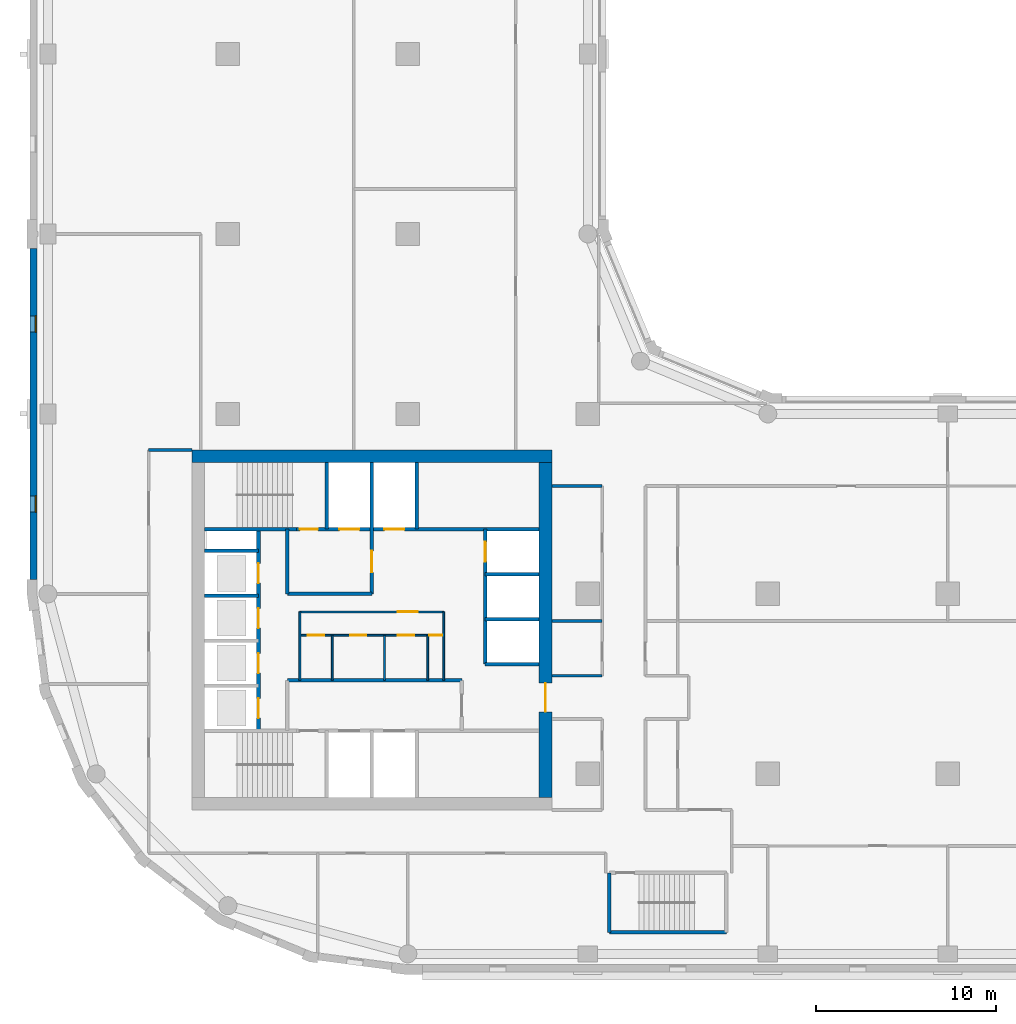
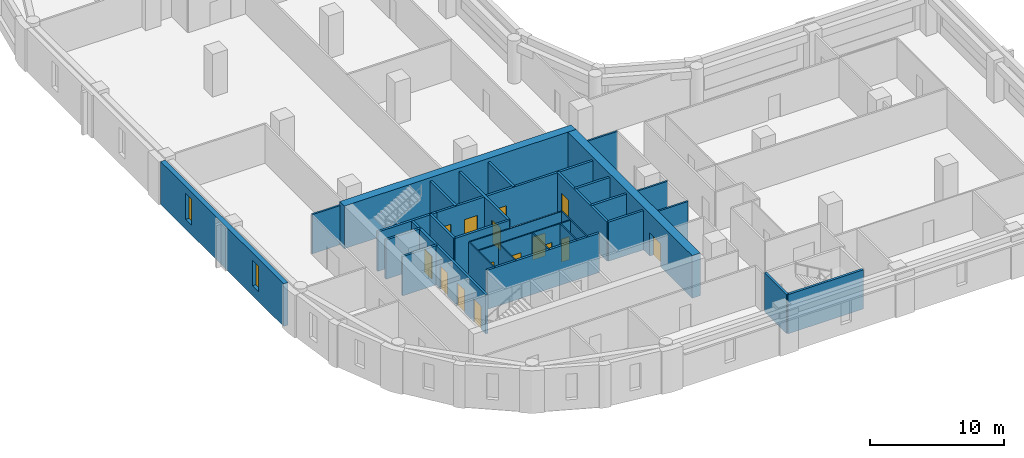
# One storey, part 3 of 9: 31 walls, 15 doors, 2 windows, 17 openings.
"""IFC4 building model written with IfcOpenShell, lengths in metres."""

from ifc_helpers import new_model, si_unit, direction, frame, frame_2d, origin, place, context, subcontext, project, spatial, rectangle, extrude, material, layer, layer_set, type_object, element, fill, save


model = new_model("IFC4")

# Units and contexts
model_context = context("Model", 3, precision=1e-05, world=origin(), true_north=direction((0.0, 1.0)))
body_context = subcontext(model_context, "Body", "Model", "MODEL_VIEW")
ifc_project = project(units=[si_unit("LENGTHUNIT", "METRE"), si_unit("AREAUNIT", "SQUARE_METRE"), si_unit("VOLUMEUNIT", "CUBIC_METRE"), si_unit("PLANEANGLEUNIT", "RADIAN"), si_unit("MASSUNIT", "GRAM", prefix="KILO")], contexts=[model_context])

# Site, building, storey
site_placement = place(None, origin())
site = spatial("IfcSite", under=ifc_project, at=site_placement, CompositionType="ELEMENT")
building_placement = place(site_placement, origin())
building = spatial("IfcBuilding", under=site, at=building_placement, Name="Qaws Garden Tower", CompositionType="ELEMENT")
storey_placement = place(building_placement, frame((0.0, 0.0, 166.800048828125)))
storey = spatial("IfcBuildingStorey", under=building, at=storey_placement, Name="L40", CompositionType="ELEMENT", Elevation=166.800048828125)

# Wall, openings, windows
ifc_material_1 = material(Name="Buff clay facing brick masonry", Category="masonry")
ifc_layer_1 = layer(ifc_material_1, 0.39990234375)
ifc_layer_set_1 = layer_set([ifc_layer_1], Name="Buff clay facing brick masonry")
wall_type_1 = type_object("IfcWallType", Name="Buff brick infill wall 400", PredefinedType="SOLIDWALL", material=ifc_layer_set_1)
wall_1_placement = place(storey_placement, frame((-0.800048828125, 39.199951171875, 0.0), z_axis=(0.0, 0.0, 1.0), x_axis=(0.0, -1.0, 0.0)))
wall_1 = element("IfcWall", 1, at=wall_1_placement, inside=storey, type_object=wall_type_1, Name="E-L40-infill-23", PredefinedType="SOLIDWALL", context=body_context, shape_type="SweptSolid", body=[
    extrude(rectangle(XDim=18.39990234375, YDim=0.39990234375, at=frame_2d((9.199951171875, 0.0))), origin(), (0.0, 0.0, 1.0), 3.89990234375),
])
opening_1_placement = place(wall_1_placement, frame((3.75, 0.0, 0.89990234375)))
opening_1 = element("IfcOpeningElement", 2, at=opening_1_placement, cuts=wall_1, Name="Opening W09", PredefinedType="OPENING", context=body_context, shape_type="SweptSolid", body=[
    extrude(rectangle(XDim=0.89990234375, YDim=2.35009765625, at=frame_2d((0.449951171875, 1.175048828125))), frame((0.0, 0.2099609375, 0.0), z_axis=(0.0, -1.0, 0.0), x_axis=(1.0, 0.0, 0.0)), (0.0, 0.0, 1.0), 0.419921875),
])
opening_2_placement = place(wall_1_placement, frame((13.75, 0.0, 0.89990234375)))
opening_2 = element("IfcOpeningElement", 3, at=opening_2_placement, cuts=wall_1, Name="Opening W09", PredefinedType="OPENING", context=body_context, shape_type="SweptSolid", body=[
    extrude(rectangle(XDim=0.89990234375, YDim=2.35009765625, at=frame_2d((0.449951171875, 1.175048828125))), frame((0.0, 0.2099609375, 0.0), z_axis=(0.0, -1.0, 0.0), x_axis=(1.0, 0.0, 0.0)), (0.0, 0.0, 1.0), 0.419921875),
])
ifc_material_2 = material(Name="Aluminium framed window, clear glazing", Category="aluminium")
window_type = type_object("IfcWindowType", Name="Slit window 900 x 2350", PartitioningType="SINGLE_PANEL", PredefinedType="WINDOW", material=ifc_material_2)
window_1_placement = place(opening_1_placement, origin())
window_1 = element("IfcWindow", 4, at=window_1_placement, inside=storey, type_object=window_type, Name="E-L40-window-23-0", OverallHeight=2.35009765625, OverallWidth=0.89990234375, PartitioningType="SINGLE_PANEL", PredefinedType="WINDOW", context=body_context, shape_type="SweptSolid", body=[
    extrude(rectangle(XDim=0.89990234375, YDim=2.35009765625, at=frame_2d((0.449951171875, 1.175048828125))), frame((0.0, 0.159912109375, 0.0), z_axis=(0.0, -1.0, 0.0), x_axis=(1.0, 0.0, 0.0)), (0.0, 0.0, 1.0), 0.06005859375),
])
fill(opening_1, window_1)
window_2_placement = place(opening_2_placement, origin())
window_2 = element("IfcWindow", 5, at=window_2_placement, inside=storey, type_object=window_type, Name="E-L40-window-24-0", OverallHeight=2.35009765625, OverallWidth=0.89990234375, PartitioningType="SINGLE_PANEL", PredefinedType="WINDOW", context=body_context, shape_type="SweptSolid", body=[
    extrude(rectangle(XDim=0.89990234375, YDim=2.35009765625, at=frame_2d((0.449951171875, 1.175048828125))), frame((0.0, 0.159912109375, 0.0), z_axis=(0.0, -1.0, 0.0), x_axis=(1.0, 0.0, 0.0)), (0.0, 0.0, 1.0), 0.06005859375),
])
fill(opening_2, window_2)

# Wall, openings, doors
ifc_material_3 = material(Name="Plasterboard")
ifc_layer_2 = layer(ifc_material_3, 0.10009765625)
ifc_layer_set_2 = layer_set([ifc_layer_2], Name="Plasterboard")
wall_type_2 = type_object("IfcWallType", Name="Core partition 100", PredefinedType="PARTITIONING", material=ifc_layer_set_2)
wall_2_placement = place(storey_placement, frame((14.0, 17.699951171875, 0.0), z_axis=(0.0, 0.0, 1.0), x_axis=(1.0, 0.0, 0.0)))
wall_2 = element("IfcWall", 6, at=wall_2_placement, inside=storey, type_object=wall_type_2, Name="Core partition", PredefinedType="PARTITIONING", context=body_context, shape_type="SweptSolid", body=[
    extrude(rectangle(XDim=8.0, YDim=0.10009765625, at=frame_2d((4.0, 0.0))), origin(), (0.0, 0.0, 1.0), 3.579833984375),
])
opening_3_placement = place(wall_2_placement, frame((0.449951171875, 0.0, 0.0)))
opening_3 = element("IfcOpeningElement", 7, at=opening_3_placement, cuts=wall_2, Name="Opening WD18", PredefinedType="OPENING", context=body_context, shape_type="SweptSolid", body=[
    extrude(rectangle(XDim=0.89990234375, YDim=2.10009765625, at=frame_2d((0.449951171875, 1.050048828125))), frame((0.0, 0.06005859375, 0.0), z_axis=(0.0, -1.0, 0.0), x_axis=(1.0, 0.0, 0.0)), (0.0, 0.0, 1.0), 0.1201171875),
])
opening_4_placement = place(wall_2_placement, frame((2.800048828125, 0.0, 0.0)))
opening_4 = element("IfcOpeningElement", 8, at=opening_4_placement, cuts=wall_2, Name="Opening WD19", PredefinedType="OPENING", context=body_context, shape_type="SweptSolid", body=[
    extrude(rectangle(XDim=0.89990234375, YDim=2.10009765625, at=frame_2d((0.449951171875, 1.050048828125))), frame((0.0, 0.06005859375, 0.0), z_axis=(0.0, -1.0, 0.0), x_axis=(1.0, 0.0, 0.0)), (0.0, 0.0, 1.0), 0.1201171875),
])
opening_5_placement = place(wall_2_placement, frame((5.449951171875, 0.0, 0.0)))
opening_5 = element("IfcOpeningElement", 9, at=opening_5_placement, cuts=wall_2, Name="Opening WD20", PredefinedType="OPENING", context=body_context, shape_type="SweptSolid", body=[
    extrude(rectangle(XDim=0.89990234375, YDim=2.10009765625, at=frame_2d((0.449951171875, 1.050048828125))), frame((0.0, 0.06005859375, 0.0), z_axis=(0.0, -1.0, 0.0), x_axis=(1.0, 0.0, 0.0)), (0.0, 0.0, 1.0), 0.1201171875),
])
opening_6_placement = place(wall_2_placement, frame((7.199951171875, 0.0, 0.0)))
opening_6 = element("IfcOpeningElement", 10, at=opening_6_placement, cuts=wall_2, Name="Opening XD21", PredefinedType="OPENING", context=body_context, shape_type="SweptSolid", body=[
    extrude(rectangle(XDim=0.699951171875, YDim=2.10009765625, at=frame_2d((0.35009765625, 1.050048828125))), frame((0.0, 0.06005859375, 0.0), z_axis=(0.0, -1.0, 0.0), x_axis=(1.0, 0.0, 0.0)), (0.0, 0.0, 1.0), 0.1201171875),
])
ifc_material_4 = material(Name="Timber", Category="wood")
door_type_1 = type_object("IfcDoorType", Name="Store door 700x2100", OperationType="SINGLE_SWING_LEFT", PredefinedType="DOOR", material=ifc_material_4)
door_1_placement = place(opening_6_placement, frame((0.699951171875, 0.0, 0.0), z_axis=(0.0, 0.0, 1.0), x_axis=(-1.0, 0.0, 0.0)))
door_1 = element("IfcDoor", 11, at=door_1_placement, inside=storey, type_object=door_type_1, Name="Cleaner's store door", OperationType="SINGLE_SWING_LEFT", OverallHeight=2.10009765625, OverallWidth=0.699951171875, PredefinedType="DOOR", context=body_context, shape_type="SweptSolid", body=[
    extrude(rectangle(XDim=0.699951171875, YDim=2.10009765625, at=frame_2d((0.35009765625, 1.050048828125))), frame((0.0, 0.02490234375, 0.0), z_axis=(0.0, -1.0, 0.0), x_axis=(1.0, 0.0, 0.0)), (0.0, 0.0, 1.0), 0.050048828125),
])
fill(opening_6, door_1)
ifc_material_5 = material(Name="Timber", Category="wood")
door_type_2 = type_object("IfcDoorType", Name="WC door 900x2100", OperationType="SINGLE_SWING_LEFT", PredefinedType="DOOR", material=ifc_material_5)
door_2_placement = place(opening_3_placement, frame((0.89990234375, 0.0, 0.0), z_axis=(0.0, 0.0, 1.0), x_axis=(-1.0, 0.0, 0.0)))
door_2 = element("IfcDoor", 12, at=door_2_placement, inside=storey, type_object=door_type_2, Name="Accessible WC door", OperationType="SINGLE_SWING_LEFT", OverallHeight=2.10009765625, OverallWidth=0.89990234375, PredefinedType="DOOR", context=body_context, shape_type="SweptSolid", body=[
    extrude(rectangle(XDim=0.89990234375, YDim=2.10009765625, at=frame_2d((0.449951171875, 1.050048828125))), frame((0.0, 0.02490234375, 0.0), z_axis=(0.0, -1.0, 0.0), x_axis=(1.0, 0.0, 0.0)), (0.0, 0.0, 1.0), 0.050048828125),
])
fill(opening_3, door_2)
door_3_placement = place(opening_4_placement, frame((0.89990234375, 0.0, 0.0), z_axis=(0.0, 0.0, 1.0), x_axis=(-1.0, 0.0, 0.0)))
door_3 = element("IfcDoor", 13, at=door_3_placement, inside=storey, type_object=door_type_2, Name="Women's WC door", OperationType="SINGLE_SWING_LEFT", OverallHeight=2.10009765625, OverallWidth=0.89990234375, PredefinedType="DOOR", context=body_context, shape_type="SweptSolid", body=[
    extrude(rectangle(XDim=0.89990234375, YDim=2.10009765625, at=frame_2d((0.449951171875, 1.050048828125))), frame((0.0, 0.02490234375, 0.0), z_axis=(0.0, -1.0, 0.0), x_axis=(1.0, 0.0, 0.0)), (0.0, 0.0, 1.0), 0.050048828125),
])
fill(opening_4, door_3)
door_4_placement = place(opening_5_placement, frame((0.89990234375, 0.0, 0.0), z_axis=(0.0, 0.0, 1.0), x_axis=(-1.0, 0.0, 0.0)))
door_4 = element("IfcDoor", 14, at=door_4_placement, inside=storey, type_object=door_type_2, Name="Men's WC door", OperationType="SINGLE_SWING_LEFT", OverallHeight=2.10009765625, OverallWidth=0.89990234375, PredefinedType="DOOR", context=body_context, shape_type="SweptSolid", body=[
    extrude(rectangle(XDim=0.89990234375, YDim=2.10009765625, at=frame_2d((0.449951171875, 1.050048828125))), frame((0.0, 0.02490234375, 0.0), z_axis=(0.0, -1.0, 0.0), x_axis=(1.0, 0.0, 0.0)), (0.0, 0.0, 1.0), 0.050048828125),
])
fill(opening_5, door_4)

# Wall, opening, door
wall_3_placement = place(storey_placement, frame((14.0, 19.0, 0.0), z_axis=(0.0, 0.0, 1.0), x_axis=(1.0, 0.0, 0.0)))
wall_3 = element("IfcWall", 15, at=wall_3_placement, inside=storey, type_object=wall_type_2, Name="Core partition", PredefinedType="PARTITIONING", context=body_context, shape_type="SweptSolid", body=[
    extrude(rectangle(XDim=8.0, YDim=0.10009765625, at=frame_2d((4.0, 0.0))), origin(), (0.0, 0.0, 1.0), 3.579833984375),
])
opening_7_placement = place(wall_3_placement, frame((5.449951171875, 0.0, 0.0)))
opening_7 = element("IfcOpeningElement", 16, at=opening_7_placement, cuts=wall_3, Name="Opening WL17", PredefinedType="OPENING", context=body_context, shape_type="SweptSolid", body=[
    extrude(rectangle(XDim=1.10009765625, YDim=2.10009765625, at=frame_2d((0.550048828125, 1.050048828125))), frame((0.0, 0.06005859375, 0.0), z_axis=(0.0, -1.0, 0.0), x_axis=(1.0, 0.0, 0.0)), (0.0, 0.0, 1.0), 0.1201171875),
])
ifc_material_6 = material(Name="Timber", Category="wood")
door_type_3 = type_object("IfcDoorType", Name="WC lobby door 1100x2100", OperationType="SINGLE_SWING_LEFT", PredefinedType="DOOR", material=ifc_material_6)
door_5_placement = place(opening_7_placement, frame((1.10009765625, 0.0, 0.0), z_axis=(0.0, 0.0, 1.0), x_axis=(-1.0, 0.0, 0.0)))
door_5 = element("IfcDoor", 17, at=door_5_placement, inside=storey, type_object=door_type_3, Name="WC lobby door", OperationType="SINGLE_SWING_LEFT", OverallHeight=2.10009765625, OverallWidth=1.10009765625, PredefinedType="DOOR", context=body_context, shape_type="SweptSolid", body=[
    extrude(rectangle(XDim=1.10009765625, YDim=2.10009765625, at=frame_2d((0.550048828125, 1.050048828125))), frame((0.0, 0.02490234375, 0.0), z_axis=(0.0, -1.0, 0.0), x_axis=(1.0, 0.0, 0.0)), (0.0, 0.0, 1.0), 0.050048828125),
])
fill(opening_7, door_5)

# Walls
wall_4_placement = place(storey_placement, frame((14.0, 15.199951171875, 0.0), z_axis=(0.0, 0.0, 1.0), x_axis=(0.0, 1.0, 0.0)))
element("IfcWall", 18, at=wall_4_placement, inside=storey, type_object=wall_type_2, Name="Core partition", PredefinedType="PARTITIONING", context=body_context, shape_type="SweptSolid", body=[
    extrude(rectangle(XDim=3.800048828125, YDim=0.10009765625, at=frame_2d((1.89990234375, 0.0))), origin(), (0.0, 0.0, 1.0), 3.579833984375),
])
for number, where, z_axis, x_axis, name in (
    (19, (15.800048828125, 15.199951171875, 0.0), (0.0, 0.0, 1.0), (0.0, 1.0, 0.0), "Core partition"),
    (20, (18.699951171875, 15.199951171875, 0.0), (0.0, 0.0, 1.0), (0.0, 1.0, 0.0), "Core partition"),
    (21, (21.10009765625, 15.199951171875, 0.0), (0.0, 0.0, 1.0), (0.0, 1.0, 0.0), "Core partition"),
):
    element("IfcWall", number, at=place(storey_placement, frame(where, z_axis=z_axis, x_axis=x_axis)), inside=storey, type_object=wall_type_2, Name=name, PredefinedType="PARTITIONING", context=body_context, shape_type="SweptSolid", body=[
        extrude(rectangle(XDim=2.5, YDim=0.10009765625, at=frame_2d((1.25, 0.0))), origin(), (0.0, 0.0, 1.0), 3.579833984375),
    ])
wall_5_placement = place(storey_placement, frame((22.0, 15.199951171875, 0.0), z_axis=(0.0, 0.0, 1.0), x_axis=(0.0, 1.0, 0.0)))
element("IfcWall", 22, at=wall_5_placement, inside=storey, type_object=wall_type_2, Name="Core partition", PredefinedType="PARTITIONING", context=body_context, shape_type="SweptSolid", body=[
    extrude(rectangle(XDim=3.800048828125, YDim=0.10009765625, at=frame_2d((1.89990234375, 0.0))), origin(), (0.0, 0.0, 1.0), 3.579833984375),
])
ifc_material_7 = material(Name="Concrete C70", Category="concrete")
ifc_layer_3 = layer(ifc_material_7, 0.199951171875)
ifc_layer_set_3 = layer_set([ifc_layer_3], Name="Concrete C70")
wall_type_3 = type_object("IfcWallType", Name="Core shaft wall 200 C70", PredefinedType="SHEAR", material=ifc_layer_set_3)
wall_6_placement = place(storey_placement, frame((31.199951171875, 1.199951171875, 0.0), z_axis=(0.0, 0.0, 1.0), x_axis=(1.0, 0.0, 0.0)))
element("IfcWall", 23, at=wall_6_placement, inside=storey, type_object=wall_type_3, Name="Shaft wall", PredefinedType="SHEAR", context=body_context, shape_type="SweptSolid", body=[
    extrude(rectangle(XDim=6.5, YDim=0.199951171875, at=frame_2d((3.25, 0.0))), origin(), (0.0, 0.0, 1.0), 3.579833984375),
])
wall_7_placement = place(storey_placement, frame((13.300048828125, 15.199951171875, 0.0), z_axis=(0.0, 0.0, 1.0), x_axis=(1.0, 0.0, 0.0)))
element("IfcWall", 24, at=wall_7_placement, inside=storey, type_object=wall_type_3, Name="Shaft wall", PredefinedType="SHEAR", context=body_context, shape_type="SweptSolid", body=[
    extrude(rectangle(XDim=9.699951171875, YDim=0.199951171875, at=frame_2d((4.85009765625, 0.0))), origin(), (0.0, 0.0, 1.0), 3.579833984375),
])
for number, where, z_axis, x_axis, name in (
    (25, (24.300048828125, 16.10009765625, 0.0), (0.0, 0.0, 1.0), (1.0, 0.0, 0.0), "Shaft wall"),
    (26, (24.300048828125, 18.60009765625, 0.0), (0.0, 0.0, 1.0), (1.0, 0.0, 0.0), "Shaft wall"),
    (27, (8.699951171875, 19.89990234375, 0.0), (0.0, 0.0, 1.0), (1.0, 0.0, 0.0), "Shaft wall"),
):
    element("IfcWall", number, at=place(storey_placement, frame(where, z_axis=z_axis, x_axis=x_axis)), inside=storey, type_object=wall_type_3, Name=name, PredefinedType="SHEAR", context=body_context, shape_type="SweptSolid", body=[
        extrude(rectangle(XDim=3.0, YDim=0.199951171875, at=frame_2d((1.5, 0.0))), origin(), (0.0, 0.0, 1.0), 3.579833984375),
    ])
wall_8_placement = place(storey_placement, frame((13.300048828125, 20.0, 0.0), z_axis=(0.0, 0.0, 1.0), x_axis=(1.0, 0.0, 0.0)))
element("IfcWall", 28, at=wall_8_placement, inside=storey, type_object=wall_type_3, Name="Shaft wall", PredefinedType="SHEAR", context=body_context, shape_type="SweptSolid", body=[
    extrude(rectangle(XDim=4.699951171875, YDim=0.199951171875, at=frame_2d((2.35009765625, 0.0))), origin(), (0.0, 0.0, 1.0), 3.579833984375),
])
for number, where, z_axis, x_axis, name in (
    (29, (24.300048828125, 21.10009765625, 0.0), (0.0, 0.0, 1.0), (1.0, 0.0, 0.0), "Shaft wall"),
    (30, (8.699951171875, 22.39990234375, 0.0), (0.0, 0.0, 1.0), (1.0, 0.0, 0.0), "Shaft wall"),
):
    element("IfcWall", number, at=place(storey_placement, frame(where, z_axis=z_axis, x_axis=x_axis)), inside=storey, type_object=wall_type_3, Name=name, PredefinedType="SHEAR", context=body_context, shape_type="SweptSolid", body=[
        extrude(rectangle(XDim=3.0, YDim=0.199951171875, at=frame_2d((1.5, 0.0))), origin(), (0.0, 0.0, 1.0), 3.579833984375),
    ])
wall_9_placement = place(storey_placement, frame((8.699951171875, 23.60009765625, 0.0), z_axis=(0.0, 0.0, 1.0), x_axis=(1.0, 0.0, 0.0)))
element("IfcWall", 31, at=wall_9_placement, inside=storey, type_object=wall_type_3, Name="Shaft wall", PredefinedType="SHEAR", context=body_context, shape_type="SweptSolid", body=[
    extrude(rectangle(XDim=5.10009765625, YDim=0.199951171875, at=frame_2d((2.550048828125, 0.0))), origin(), (0.0, 0.0, 1.0), 3.579833984375),
])

# Wall, openings, doors
wall_10_placement = place(storey_placement, frame((13.800048828125, 23.60009765625, 0.0), z_axis=(0.0, 0.0, 1.0), x_axis=(1.0, 0.0, 0.0)))
wall_10 = element("IfcWall", 32, at=wall_10_placement, inside=storey, type_object=wall_type_3, Name="Shaft wall", PredefinedType="SHEAR", context=body_context, shape_type="SweptSolid", body=[
    extrude(rectangle(XDim=13.5, YDim=0.199951171875, at=frame_2d((6.75, 0.0))), origin(), (0.0, 0.0, 1.0), 3.579833984375),
])
opening_8_placement = place(wall_10_placement, frame((2.39990234375, 0.0, 0.0)))
opening_8 = element("IfcOpeningElement", 33, at=opening_8_placement, cuts=wall_10, Name="Opening LD08", PredefinedType="OPENING", context=body_context, shape_type="SweptSolid", body=[
    extrude(rectangle(XDim=1.10009765625, YDim=2.10009765625, at=frame_2d((0.550048828125, 1.050048828125))), frame((0.0, 0.10986328125, 0.0), z_axis=(0.0, -1.0, 0.0), x_axis=(1.0, 0.0, 0.0)), (0.0, 0.0, 1.0), 0.219970703125),
])
opening_9_placement = place(wall_10_placement, frame((4.89990234375, 0.0, 0.0)))
opening_9 = element("IfcOpeningElement", 34, at=opening_9_placement, cuts=wall_10, Name="Opening LD09", PredefinedType="OPENING", context=body_context, shape_type="SweptSolid", body=[
    extrude(rectangle(XDim=1.10009765625, YDim=2.10009765625, at=frame_2d((0.550048828125, 1.050048828125))), frame((0.0, 0.10986328125, 0.0), z_axis=(0.0, -1.0, 0.0), x_axis=(1.0, 0.0, 0.0)), (0.0, 0.0, 1.0), 0.219970703125),
])
opening_10_placement = place(wall_10_placement, frame((0.199951171875, 0.0, 0.0)))
opening_10 = element("IfcOpeningElement", 35, at=opening_10_placement, cuts=wall_10, Name="Opening SD11", PredefinedType="OPENING", context=body_context, shape_type="SweptSolid", body=[
    extrude(rectangle(XDim=1.0, YDim=2.10009765625, at=frame_2d((0.5, 1.050048828125))), frame((0.0, 0.10986328125, 0.0), z_axis=(0.0, -1.0, 0.0), x_axis=(1.0, 0.0, 0.0)), (0.0, 0.0, 1.0), 0.219970703125),
])
ifc_material_8 = material(Name="Steel S235", Category="steel")
door_type_4 = type_object("IfcDoorType", Name="Landing door 1100x2100", OperationType="DOUBLE_DOOR_SLIDING", PredefinedType="DOOR", material=ifc_material_8)
door_6_placement = place(opening_8_placement, origin())
door_6 = element("IfcDoor", 36, at=door_6_placement, inside=storey, type_object=door_type_4, Name="Lift FF3 landing door", OperationType="DOUBLE_DOOR_SLIDING", OverallHeight=2.10009765625, OverallWidth=1.10009765625, PredefinedType="DOOR", context=body_context, shape_type="SweptSolid", body=[
    extrude(rectangle(XDim=1.10009765625, YDim=2.10009765625, at=frame_2d((0.550048828125, 1.050048828125))), frame((0.0, 0.02490234375, 0.0), z_axis=(0.0, -1.0, 0.0), x_axis=(1.0, 0.0, 0.0)), (0.0, 0.0, 1.0), 0.050048828125),
])
fill(opening_8, door_6)
door_7_placement = place(opening_9_placement, origin())
door_7 = element("IfcDoor", 37, at=door_7_placement, inside=storey, type_object=door_type_4, Name="Lift SV2 landing door", OperationType="DOUBLE_DOOR_SLIDING", OverallHeight=2.10009765625, OverallWidth=1.10009765625, PredefinedType="DOOR", context=body_context, shape_type="SweptSolid", body=[
    extrude(rectangle(XDim=1.10009765625, YDim=2.10009765625, at=frame_2d((0.550048828125, 1.050048828125))), frame((0.0, 0.02490234375, 0.0), z_axis=(0.0, -1.0, 0.0), x_axis=(1.0, 0.0, 0.0)), (0.0, 0.0, 1.0), 0.050048828125),
])
fill(opening_9, door_7)
ifc_material_9 = material(Name="Steel S235", Category="steel")
door_type_5 = type_object("IfcDoorType", Name="Stair door 1000x2100", OperationType="SINGLE_SWING_RIGHT", PredefinedType="DOOR", material=ifc_material_9)
door_8_placement = place(opening_10_placement, origin())
door_8 = element("IfcDoor", 38, at=door_8_placement, inside=storey, type_object=door_type_5, Name="Stair 4 door", OperationType="SINGLE_SWING_RIGHT", OverallHeight=2.10009765625, OverallWidth=1.0, PredefinedType="DOOR", context=body_context, shape_type="SweptSolid", body=[
    extrude(rectangle(XDim=1.0, YDim=2.10009765625, at=frame_2d((0.5, 1.050048828125))), frame((0.0, 0.02490234375, 0.0), z_axis=(0.0, -1.0, 0.0), x_axis=(1.0, 0.0, 0.0)), (0.0, 0.0, 1.0), 0.050048828125),
])
fill(opening_10, door_8)

wall_11_placement = place(storey_placement, frame((11.699951171875, 12.39990234375, 0.0), z_axis=(0.0, 0.0, 1.0), x_axis=(0.0, 1.0, 0.0)))
wall_11 = element("IfcWall", 39, at=wall_11_placement, inside=storey, type_object=wall_type_3, Name="Shaft wall", PredefinedType="SHEAR", context=body_context, shape_type="SweptSolid", body=[
    extrude(rectangle(XDim=11.2001953125, YDim=0.199951171875, at=frame_2d((5.60009765625, 0.0))), origin(), (0.0, 0.0, 1.0), 3.579833984375),
])
opening_11_placement = place(wall_11_placement, frame((0.699951171875, 0.0, 0.0)))
opening_11 = element("IfcOpeningElement", 40, at=opening_11_placement, cuts=wall_11, Name="Opening LD01", PredefinedType="OPENING", context=body_context, shape_type="SweptSolid", body=[
    extrude(rectangle(XDim=1.10009765625, YDim=2.10009765625, at=frame_2d((0.550048828125, 1.050048828125))), frame((0.0, 0.10986328125, 0.0), z_axis=(0.0, -1.0, 0.0), x_axis=(1.0, 0.0, 0.0)), (0.0, 0.0, 1.0), 0.219970703125),
])
opening_12_placement = place(wall_11_placement, frame((3.199951171875, 0.0, 0.0)))
opening_12 = element("IfcOpeningElement", 41, at=opening_12_placement, cuts=wall_11, Name="Opening LD02", PredefinedType="OPENING", context=body_context, shape_type="SweptSolid", body=[
    extrude(rectangle(XDim=1.10009765625, YDim=2.10009765625, at=frame_2d((0.550048828125, 1.050048828125))), frame((0.0, 0.10986328125, 0.0), z_axis=(0.0, -1.0, 0.0), x_axis=(1.0, 0.0, 0.0)), (0.0, 0.0, 1.0), 0.219970703125),
])
opening_13_placement = place(wall_11_placement, frame((5.699951171875, 0.0, 0.0)))
opening_13 = element("IfcOpeningElement", 42, at=opening_13_placement, cuts=wall_11, Name="Opening LD03", PredefinedType="OPENING", context=body_context, shape_type="SweptSolid", body=[
    extrude(rectangle(XDim=1.10009765625, YDim=2.10009765625, at=frame_2d((0.550048828125, 1.050048828125))), frame((0.0, 0.10986328125, 0.0), z_axis=(0.0, -1.0, 0.0), x_axis=(1.0, 0.0, 0.0)), (0.0, 0.0, 1.0), 0.219970703125),
])
opening_14_placement = place(wall_11_placement, frame((8.199951171875, 0.0, 0.0)))
opening_14 = element("IfcOpeningElement", 43, at=opening_14_placement, cuts=wall_11, Name="Opening LD04", PredefinedType="OPENING", context=body_context, shape_type="SweptSolid", body=[
    extrude(rectangle(XDim=1.10009765625, YDim=2.10009765625, at=frame_2d((0.550048828125, 1.050048828125))), frame((0.0, 0.10986328125, 0.0), z_axis=(0.0, -1.0, 0.0), x_axis=(1.0, 0.0, 0.0)), (0.0, 0.0, 1.0), 0.219970703125),
])
door_9_placement = place(opening_11_placement, origin())
door_9 = element("IfcDoor", 44, at=door_9_placement, inside=storey, type_object=door_type_4, Name="Lift W1 landing door", OperationType="DOUBLE_DOOR_SLIDING", OverallHeight=2.10009765625, OverallWidth=1.10009765625, PredefinedType="DOOR", context=body_context, shape_type="SweptSolid", body=[
    extrude(rectangle(XDim=1.10009765625, YDim=2.10009765625, at=frame_2d((0.550048828125, 1.050048828125))), frame((0.0, 0.02490234375, 0.0), z_axis=(0.0, -1.0, 0.0), x_axis=(1.0, 0.0, 0.0)), (0.0, 0.0, 1.0), 0.050048828125),
])
fill(opening_11, door_9)
door_10_placement = place(opening_12_placement, origin())
door_10 = element("IfcDoor", 45, at=door_10_placement, inside=storey, type_object=door_type_4, Name="Lift W2 landing door", OperationType="DOUBLE_DOOR_SLIDING", OverallHeight=2.10009765625, OverallWidth=1.10009765625, PredefinedType="DOOR", context=body_context, shape_type="SweptSolid", body=[
    extrude(rectangle(XDim=1.10009765625, YDim=2.10009765625, at=frame_2d((0.550048828125, 1.050048828125))), frame((0.0, 0.02490234375, 0.0), z_axis=(0.0, -1.0, 0.0), x_axis=(1.0, 0.0, 0.0)), (0.0, 0.0, 1.0), 0.050048828125),
])
fill(opening_12, door_10)
door_11_placement = place(opening_13_placement, origin())
door_11 = element("IfcDoor", 46, at=door_11_placement, inside=storey, type_object=door_type_4, Name="Lift W3 landing door", OperationType="DOUBLE_DOOR_SLIDING", OverallHeight=2.10009765625, OverallWidth=1.10009765625, PredefinedType="DOOR", context=body_context, shape_type="SweptSolid", body=[
    extrude(rectangle(XDim=1.10009765625, YDim=2.10009765625, at=frame_2d((0.550048828125, 1.050048828125))), frame((0.0, 0.02490234375, 0.0), z_axis=(0.0, -1.0, 0.0), x_axis=(1.0, 0.0, 0.0)), (0.0, 0.0, 1.0), 0.050048828125),
])
fill(opening_13, door_11)
door_12_placement = place(opening_14_placement, origin())
door_12 = element("IfcDoor", 47, at=door_12_placement, inside=storey, type_object=door_type_4, Name="Lift W4 landing door", OperationType="DOUBLE_DOOR_SLIDING", OverallHeight=2.10009765625, OverallWidth=1.10009765625, PredefinedType="DOOR", context=body_context, shape_type="SweptSolid", body=[
    extrude(rectangle(XDim=1.10009765625, YDim=2.10009765625, at=frame_2d((0.550048828125, 1.050048828125))), frame((0.0, 0.02490234375, 0.0), z_axis=(0.0, -1.0, 0.0), x_axis=(1.0, 0.0, 0.0)), (0.0, 0.0, 1.0), 0.050048828125),
])
fill(opening_14, door_12)

# Walls
wall_12_placement = place(storey_placement, frame((13.300048828125, 20.0, 0.0), z_axis=(0.0, 0.0, 1.0), x_axis=(0.0, 1.0, 0.0)))
element("IfcWall", 48, at=wall_12_placement, inside=storey, type_object=wall_type_3, Name="Shaft wall", PredefinedType="SHEAR", context=body_context, shape_type="SweptSolid", body=[
    extrude(rectangle(XDim=3.60009765625, YDim=0.199951171875, at=frame_2d((1.800048828125, 0.0))), origin(), (0.0, 0.0, 1.0), 3.579833984375),
])
wall_13_placement = place(storey_placement, frame((15.5, 23.60009765625, 0.0), z_axis=(0.0, 0.0, 1.0), x_axis=(0.0, 1.0, 0.0)))
element("IfcWall", 49, at=wall_13_placement, inside=storey, type_object=wall_type_3, Name="Shaft wall", PredefinedType="SHEAR", context=body_context, shape_type="SweptSolid", body=[
    extrude(rectangle(XDim=3.699951171875, YDim=0.199951171875, at=frame_2d((1.85009765625, 0.0))), origin(), (0.0, 0.0, 1.0), 3.579833984375),
])

# Wall, opening, door
wall_14_placement = place(storey_placement, frame((18.0, 20.0, 0.0), z_axis=(0.0, 0.0, 1.0), x_axis=(0.0, 1.0, 0.0)))
wall_14 = element("IfcWall", 50, at=wall_14_placement, inside=storey, type_object=wall_type_3, Name="Shaft wall", PredefinedType="SHEAR", context=body_context, shape_type="SweptSolid", body=[
    extrude(rectangle(XDim=7.300048828125, YDim=0.199951171875, at=frame_2d((3.64990234375, 0.0))), origin(), (0.0, 0.0, 1.0), 3.579833984375),
])
opening_15_placement = place(wall_14_placement, frame((1.199951171875, 0.0, 0.0)))
opening_15 = element("IfcOpeningElement", 51, at=opening_15_placement, cuts=wall_14, Name="Opening FD16", PredefinedType="OPENING", context=body_context, shape_type="SweptSolid", body=[
    extrude(rectangle(XDim=1.199951171875, YDim=2.10009765625, at=frame_2d((0.60009765625, 1.050048828125))), frame((0.0, 0.10986328125, 0.0), z_axis=(0.0, -1.0, 0.0), x_axis=(1.0, 0.0, 0.0)), (0.0, 0.0, 1.0), 0.219970703125),
])
ifc_material_10 = material(Name="Steel S235", Category="steel")
door_type_6 = type_object("IfcDoorType", Name="Lobby door 1200x2100", OperationType="DOUBLE_DOOR_SINGLE_SWING", PredefinedType="DOOR", material=ifc_material_10)
door_13_placement = place(opening_15_placement, origin())
door_13 = element("IfcDoor", 52, at=door_13_placement, inside=storey, type_object=door_type_6, Name="Fire-fighting lobby door", OperationType="DOUBLE_DOOR_SINGLE_SWING", OverallHeight=2.10009765625, OverallWidth=1.199951171875, PredefinedType="DOOR", context=body_context, shape_type="SweptSolid", body=[
    extrude(rectangle(XDim=1.199951171875, YDim=2.10009765625, at=frame_2d((0.60009765625, 1.050048828125))), frame((0.0, 0.02490234375, 0.0), z_axis=(0.0, -1.0, 0.0), x_axis=(1.0, 0.0, 0.0)), (0.0, 0.0, 1.0), 0.050048828125),
])
fill(opening_15, door_13)

# Wall
wall_15_placement = place(storey_placement, frame((20.5, 23.60009765625, 0.0), z_axis=(0.0, 0.0, 1.0), x_axis=(0.0, 1.0, 0.0)))
element("IfcWall", 53, at=wall_15_placement, inside=storey, type_object=wall_type_3, Name="Shaft wall", PredefinedType="SHEAR", context=body_context, shape_type="SweptSolid", body=[
    extrude(rectangle(XDim=3.699951171875, YDim=0.199951171875, at=frame_2d((1.85009765625, 0.0))), origin(), (0.0, 0.0, 1.0), 3.579833984375),
])

# Wall, opening, door
wall_16_placement = place(storey_placement, frame((24.300048828125, 16.10009765625, 0.0), z_axis=(0.0, 0.0, 1.0), x_axis=(0.0, 1.0, 0.0)))
wall_16 = element("IfcWall", 54, at=wall_16_placement, inside=storey, type_object=wall_type_3, Name="Shaft wall", PredefinedType="SHEAR", context=body_context, shape_type="SweptSolid", body=[
    extrude(rectangle(XDim=7.5, YDim=0.199951171875, at=frame_2d((3.75, 0.0))), origin(), (0.0, 0.0, 1.0), 3.579833984375),
])
opening_16_placement = place(wall_16_placement, frame((5.699951171875, 0.0, 0.0)))
opening_16 = element("IfcOpeningElement", 55, at=opening_16_placement, cuts=wall_16, Name="Opening LD05", PredefinedType="OPENING", context=body_context, shape_type="SweptSolid", body=[
    extrude(rectangle(XDim=1.10009765625, YDim=2.10009765625, at=frame_2d((0.550048828125, 1.050048828125))), frame((0.0, 0.10986328125, 0.0), z_axis=(0.0, -1.0, 0.0), x_axis=(1.0, 0.0, 0.0)), (0.0, 0.0, 1.0), 0.219970703125),
])
door_14_placement = place(opening_16_placement, origin())
door_14 = element("IfcDoor", 56, at=door_14_placement, inside=storey, type_object=door_type_4, Name="Lift E3 landing door", OperationType="DOUBLE_DOOR_SLIDING", OverallHeight=2.10009765625, OverallWidth=1.10009765625, PredefinedType="DOOR", context=body_context, shape_type="SweptSolid", body=[
    extrude(rectangle(XDim=1.10009765625, YDim=2.10009765625, at=frame_2d((0.550048828125, 1.050048828125))), frame((0.0, 0.02490234375, 0.0), z_axis=(0.0, -1.0, 0.0), x_axis=(1.0, 0.0, 0.0)), (0.0, 0.0, 1.0), 0.050048828125),
])
fill(opening_16, door_14)

# Wall
wall_17_placement = place(storey_placement, frame((31.199951171875, 1.199951171875, 0.0), z_axis=(0.0, 0.0, 1.0), x_axis=(0.0, 1.0, 0.0)))
element("IfcWall", 57, at=wall_17_placement, inside=storey, type_object=wall_type_3, Name="Shaft wall", PredefinedType="SHEAR", context=body_context, shape_type="SweptSolid", body=[
    extrude(rectangle(XDim=3.300048828125, YDim=0.199951171875, at=frame_2d((1.64990234375, 0.0))), origin(), (0.0, 0.0, 1.0), 3.579833984375),
])

# Wall, opening, door
ifc_material_11 = material(Name="Concrete C70", Category="concrete")
ifc_layer_4 = layer(ifc_material_11, 0.699951171875)
ifc_layer_set_4 = layer_set([ifc_layer_4], Name="Concrete C70")
wall_type_4 = type_object("IfcWallType", Name="Core wall 700 C70", PredefinedType="SHEAR", material=ifc_layer_set_4)
wall_18_placement = place(storey_placement, frame((27.64990234375, 8.699951171875, 0.0), z_axis=(0.0, 0.0, 1.0), x_axis=(0.0, 1.0, 0.0)))
wall_18 = element("IfcWall", 58, at=wall_18_placement, inside=storey, type_object=wall_type_4, Name="Core wall L40 east", PredefinedType="SHEAR", context=body_context, shape_type="SweptSolid", body=[
    extrude(rectangle(XDim=18.60009765625, YDim=0.699951171875, at=frame_2d((9.300048828125, 0.0))), origin(), (0.0, 0.0, 1.0), 3.89990234375),
])
opening_17_placement = place(wall_18_placement, frame((4.75, 0.0, 0.0)))
opening_17 = element("IfcOpeningElement", 59, at=opening_17_placement, cuts=wall_18, Name="Opening ED22", PredefinedType="OPENING", context=body_context, shape_type="SweptSolid", body=[
    extrude(rectangle(XDim=1.60009765625, YDim=2.10009765625, at=frame_2d((0.800048828125, 1.050048828125))), frame((0.0, 0.35986328125, 0.0), z_axis=(0.0, -1.0, 0.0), x_axis=(1.0, 0.0, 0.0)), (0.0, 0.0, 1.0), 0.719970703125),
])
ifc_material_12 = material(Name="Steel S235", Category="steel")
door_type_7 = type_object("IfcDoorType", Name="Core entrance door 1600x2100", OperationType="DOUBLE_DOOR_SINGLE_SWING", PredefinedType="DOOR", material=ifc_material_12)
door_15_placement = place(opening_17_placement, origin())
door_15 = element("IfcDoor", 60, at=door_15_placement, inside=storey, type_object=door_type_7, Name="Core entrance door", OperationType="DOUBLE_DOOR_SINGLE_SWING", OverallHeight=2.10009765625, OverallWidth=1.60009765625, PredefinedType="DOOR", context=body_context, shape_type="SweptSolid", body=[
    extrude(rectangle(XDim=1.60009765625, YDim=2.10009765625, at=frame_2d((0.800048828125, 1.050048828125))), frame((0.0, 0.02490234375, 0.0), z_axis=(0.0, -1.0, 0.0), x_axis=(1.0, 0.0, 0.0)), (0.0, 0.0, 1.0), 0.050048828125),
])
fill(opening_17, door_15)

# Walls
wall_19_placement = place(storey_placement, frame((28.0, 27.64990234375, 0.0), z_axis=(0.0, 0.0, 1.0), x_axis=(-1.0, 0.0, 0.0)))
element("IfcWall", 61, at=wall_19_placement, inside=storey, type_object=wall_type_4, Name="Core wall L40 north", PredefinedType="SHEAR", context=body_context, shape_type="SweptSolid", body=[
    extrude(rectangle(XDim=20.0, YDim=0.699951171875, at=frame_2d((10.0, 0.0))), origin(), (0.0, 0.0, 1.0), 3.89990234375),
])
ifc_material_13 = material(Name="Gypsum board partition")
ifc_layer_5 = layer(ifc_material_13, 0.14990234375)
ifc_layer_set_5 = layer_set([ifc_layer_5], Name="Gypsum board partition")
wall_type_5 = type_object("IfcWallType", Name="PARTITION 150 EI 60", PredefinedType="PARTITIONING", material=ifc_layer_set_5)
for number, where, z_axis, x_axis, name in (
    (62, (28.0, 15.449951171875, 0.0), (0.0, 0.0, 1.0), (1.0, 0.0, 0.0), "O-L40-wall-037"),
    (63, (28.0, 18.5, 0.0), (0.0, 0.0, 1.0), (1.0, 0.0, 0.0), "O-L40-wall-039"),
    (64, (28.0, 26.0, 0.0), (0.0, 0.0, 1.0), (1.0, 0.0, 0.0), "O-L40-wall-042"),
):
    element("IfcWall", number, at=place(storey_placement, frame(where, z_axis=z_axis, x_axis=x_axis)), inside=storey, type_object=wall_type_5, Name=name, PredefinedType="PARTITIONING", context=body_context, shape_type="SweptSolid", body=[
        extrude(rectangle(XDim=2.800048828125, YDim=0.14990234375, at=frame_2d((1.39990234375, 0.0))), origin(), (0.0, 0.0, 1.0), 3.579833984375),
    ])
wall_20_placement = place(storey_placement, frame((5.60009765625, 28.0, 0.0), z_axis=(0.0, 0.0, 1.0), x_axis=(1.0, 0.0, 0.0)))
element("IfcWall", 65, at=wall_20_placement, inside=storey, type_object=wall_type_5, Name="O-L40-wall-044", PredefinedType="PARTITIONING", context=body_context, shape_type="SweptSolid", body=[
    extrude(rectangle(XDim=2.39990234375, YDim=0.14990234375, at=frame_2d((1.199951171875, 0.0))), origin(), (0.0, 0.0, 1.0), 3.579833984375),
])

save(model, "model.ifc")
